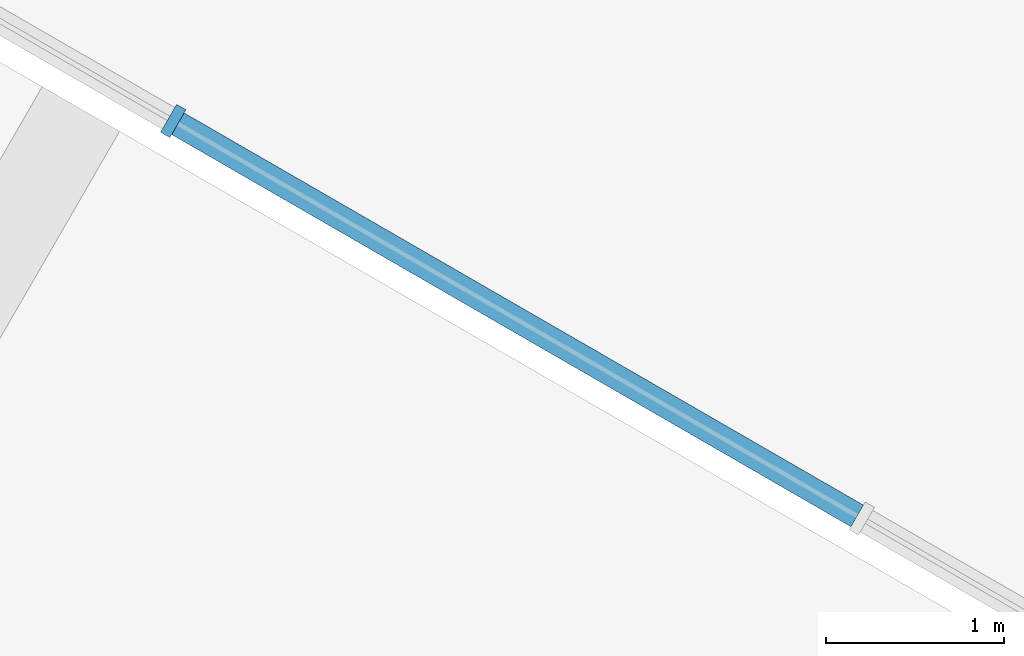
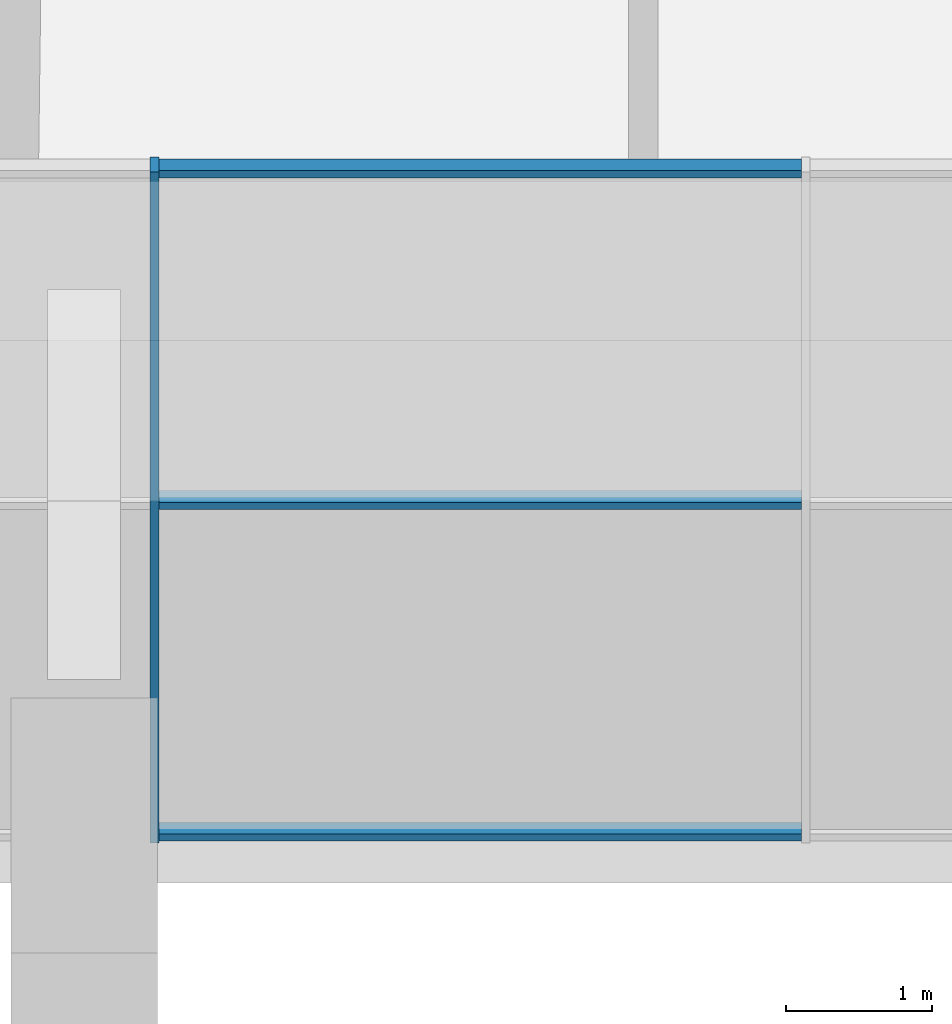
# One storey, part 3 of 51: 4 members, 1 element without a shape of its own.
"""IFC4 building model written with IfcOpenShell, lengths in metres."""

from ifc_helpers import new_model, si_unit, direction, frame, origin, origin_2d, place, context, subcontext, project, spatial, rectangle, extrude, material, layer, layer_set, material_profile, profile_set, type_object, element, aggregate, save


model = new_model("IFC4")

# Units and contexts
model_context = context("Model", 3, precision=1e-05, world=origin(), true_north=direction((0.0, 1.0)))
body_context = subcontext(model_context, "Body", "Model", "MODEL_VIEW")
ifc_project = project(units=[si_unit("LENGTHUNIT", "METRE"), si_unit("AREAUNIT", "SQUARE_METRE"), si_unit("VOLUMEUNIT", "CUBIC_METRE"), si_unit("PLANEANGLEUNIT", "RADIAN"), si_unit("MASSUNIT", "GRAM", prefix="KILO")], contexts=[model_context])

# Site, building, storey
site_placement = place(None, origin())
site = spatial("IfcSite", under=ifc_project, at=site_placement, CompositionType="ELEMENT")
building_placement = place(site_placement, origin())
building = spatial("IfcBuilding", under=site, at=building_placement, Name="Jabali Bay Hotel Tower and Convention Centre", CompositionType="ELEMENT")
storey_placement = place(building_placement, frame((0.0, 0.0, 9.0)))
storey = spatial("IfcBuildingStorey", under=building, at=storey_placement, Name="L01", CompositionType="ELEMENT", Elevation=9.0)

# Curtain wall, members
ifc_material_1 = material(Name="Aluminium and glass", Category="aluminium")
ifc_layer = layer(ifc_material_1, 0.179931640625)
ifc_layer_set = layer_set([ifc_layer], Name="Aluminium and glass")
curtain_wall_type = type_object("IfcCurtainWallType", Name="CW1 curtain wall", PredefinedType="NOTDEFINED", material=ifc_layer_set)
curtain_wall_placement = place(storey_placement, origin())
curtain_wall = element("IfcCurtainWall", 1, at=curtain_wall_placement, inside=storey, type_object=curtain_wall_type, Name="CW1 curtain wall south-west face L01", PredefinedType="NOTDEFINED")
ifc_material_2 = material(Name="Aluminium", Category="aluminium")
ifc_material_profile_1 = material_profile(ifc_material_2, rectangle(XDim=0.179931640625, YDim=0.06005859375, at=origin_2d()), Name="CW1 mullion 60 x 180")
ifc_profile_set_1 = profile_set([ifc_material_profile_1], Name="Aluminium")
member_type_1 = type_object("IfcMemberType", Name="CW1 mullion 60 x 180", PredefinedType="MULLION", material=ifc_profile_set_1)
member_1_placement = place(storey_placement, frame((51.105712890625, 60.886474609375, 0.0), z_axis=(0.0, 0.0, 1.0), x_axis=(-0.499999999441, -0.866025404107, 0.0)))
member_1 = element("IfcMember", 2, at=member_1_placement, type_object=member_type_1, Name="CW1 mullion 12", PredefinedType="MULLION", context=body_context, shape_type="SweptSolid", body=[
    extrude(rectangle(XDim=0.179931640625, YDim=0.06005859375, at=origin_2d()), origin(), (0.0, 0.0, 1.0), 5.60009765625),
])
ifc_material_profile_2 = material_profile(ifc_material_2, rectangle(XDim=0.139892578125, YDim=0.06005859375, at=origin_2d()), Name="CW1 transom 60 x 140")
ifc_profile_set_2 = profile_set([ifc_material_profile_2], Name="Aluminium")
member_type_2 = type_object("IfcMemberType", Name="CW1 transom 60 x 140", PredefinedType="USERDEFINED", material=ifc_profile_set_2)
member_2_placement = place(storey_placement, frame((54.9375, 58.674072265625, 0.030029296875), z_axis=(-0.866032941432, 0.499986944184, 0.0), x_axis=(-0.499986944184, -0.866032941432, 0.0)))
member_2 = element("IfcMember", 3, at=member_2_placement, type_object=member_type_2, Name="CW1 transom 11.1", ObjectType="TRANSOM", PredefinedType="USERDEFINED", context=body_context, shape_type="SweptSolid", body=[
    extrude(rectangle(XDim=0.139892578125, YDim=0.06005859375, at=origin_2d()), origin(), (0.0, 0.0, 1.0), 4.39453125),
])
member_3_placement = place(storey_placement, frame((54.9375, 58.674072265625, 2.800048828125), z_axis=(-0.866032941432, 0.499986944184, 0.0), x_axis=(-0.499986944184, -0.866032941432, 0.0)))
member_3 = element("IfcMember", 4, at=member_3_placement, type_object=member_type_2, Name="CW1 transom 11.2", ObjectType="TRANSOM", PredefinedType="USERDEFINED", context=body_context, shape_type="SweptSolid", body=[
    extrude(rectangle(XDim=0.139892578125, YDim=0.06005859375, at=origin_2d()), origin(), (0.0, 0.0, 1.0), 4.39453125),
])
member_4_placement = place(storey_placement, frame((54.9375, 58.674072265625, 5.570068359375), z_axis=(-0.866032941432, 0.499986944184, 0.0), x_axis=(-0.499986944184, -0.866032941432, 0.0)))
member_4 = element("IfcMember", 5, at=member_4_placement, type_object=member_type_2, Name="CW1 transom 11.3", ObjectType="TRANSOM", PredefinedType="USERDEFINED", context=body_context, shape_type="SweptSolid", body=[
    extrude(rectangle(XDim=0.139892578125, YDim=0.06005859375, at=origin_2d()), origin(), (0.0, 0.0, 1.0), 4.39453125),
])
aggregate(curtain_wall, [member_1, member_2, member_3, member_4])

save(model, "model.ifc")
